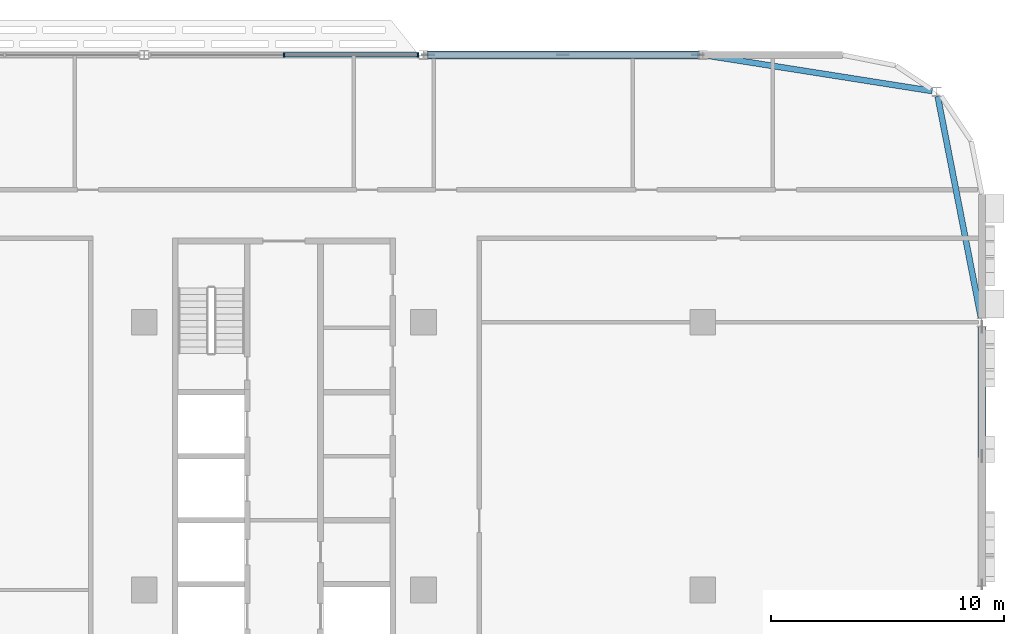
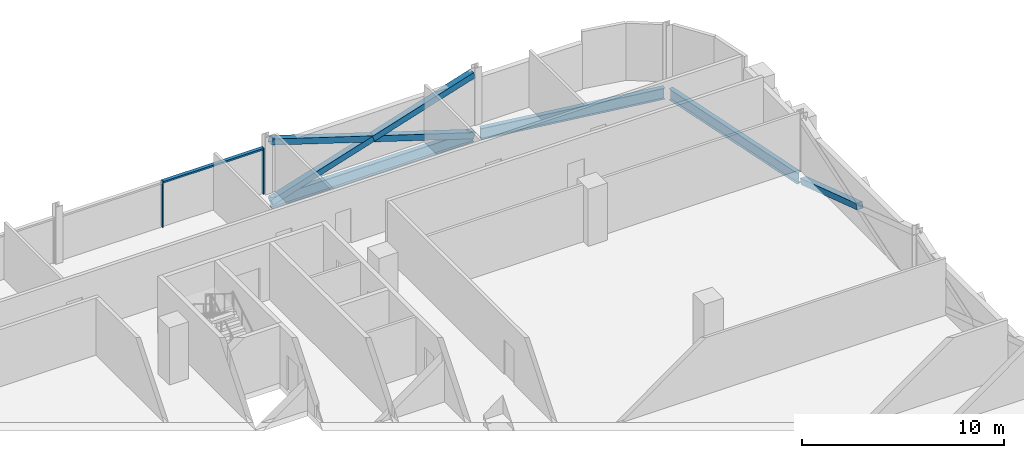
# One storey, part 11 of 30: 7 members, 3 beams, 1 element without a shape of its own.
"""IFC4 building model written with IfcOpenShell, lengths in metres."""

from ifc_helpers import new_model, si_unit, direction, frame, origin, origin_2d, place, context, subcontext, project, spatial, rectangle, hollow_rectangle, i_section, extrude, material, material_profile, profile_set, type_object, element, aggregate, save


model = new_model("IFC4")

# Units and contexts
model_context = context("Model", 3, precision=1e-05, world=origin(), true_north=direction((0.0, 1.0)))
body_context = subcontext(model_context, "Body", "Model", "MODEL_VIEW")
ifc_project = project(units=[si_unit("LENGTHUNIT", "METRE"), si_unit("AREAUNIT", "SQUARE_METRE"), si_unit("VOLUMEUNIT", "CUBIC_METRE"), si_unit("PLANEANGLEUNIT", "RADIAN"), si_unit("MASSUNIT", "GRAM", prefix="KILO")], contexts=[model_context])

# Site, building, storey
site_placement = place(None, origin())
site = spatial("IfcSite", under=ifc_project, at=site_placement, CompositionType="ELEMENT")
building_placement = place(site_placement, origin())
building = spatial("IfcBuilding", under=site, at=building_placement, Name="Mahtab Terrace Research Tower", CompositionType="ELEMENT")
storey_placement = place(building_placement, frame((0.0, 0.0, 205.300048828125)))
storey = spatial("IfcBuildingStorey", under=building, at=storey_placement, Name="L49", CompositionType="ELEMENT", Elevation=205.300048828125)

# Members
ifc_material_1 = material(Name="Steel ASTM A500 Gr C", Category="steel")
ifc_material_profile_1 = material_profile(ifc_material_1, hollow_rectangle(XDim=0.355712890625, YDim=0.355712890625, WallThickness=0.015869140625, at=origin_2d()), Name="HSS14X14X5/8")
ifc_profile_set_1 = profile_set([ifc_material_profile_1], Name="Steel ASTM A500 Gr C")
member_type_1 = type_object("IfcMemberType", Name="HSS 14x14x5/8 brace XB141458", PredefinedType="BRACE", material=ifc_profile_set_1)
member_1_placement = place(storey_placement, frame((41.79931640625, 23.0, -0.61572265625), z_axis=(-0.953337604941, 0.0, 0.301906295073), x_axis=(0.0, -1.0, 0.0)))
element("IfcMember", 1, at=member_1_placement, inside=storey, type_object=member_type_1, Name="Exoskeleton brace L49 02 a", PredefinedType="BRACE", context=body_context, shape_type="SweptSolid", body=[
    extrude(hollow_rectangle(XDim=0.355712890625, YDim=0.355712890625, WallThickness=0.015869140625, at=origin_2d()), origin(), (0.0, 0.0, 1.0), 12.166259765625),
])
for number, where, z_axis, x_axis, name in (
    (2, (30.20068359375, 23.0, -0.61572265625), (0.953331829178, 0.0, 0.301924532749), (0.0, 1.0, 0.0), "Exoskeleton brace L49 02 b1"),
    (3, (36.0, 23.0, 1.220947265625), (0.953343380425, 0.0, 0.301888057067), (0.0, 1.0, 0.0), "Exoskeleton brace L49 02 b2"),
):
    element("IfcMember", number, at=place(storey_placement, frame(where, z_axis=z_axis, x_axis=x_axis)), inside=storey, type_object=member_type_1, Name=name, PredefinedType="BRACE", context=body_context, shape_type="SweptSolid", body=[
        extrude(hollow_rectangle(XDim=0.355712890625, YDim=0.355712890625, WallThickness=0.015869140625, at=origin_2d()), origin(), (0.0, 0.0, 1.0), 6.083251953125),
    ])
member_2_placement = place(storey_placement, frame((54.0, 11.300537109375, -0.61328125), z_axis=(0.0, -0.949498689047, 0.313770998496), x_axis=(1.0, 0.0, 0.0)))
element("IfcMember", 4, at=member_2_placement, inside=storey, type_object=member_type_1, Name="Exoskeleton brace L49 23 b1", PredefinedType="BRACE", context=body_context, shape_type="SweptSolid", body=[
    extrude(hollow_rectangle(XDim=0.355712890625, YDim=0.355712890625, WallThickness=0.015869140625, at=origin_2d()), origin(), (0.0, 0.0, 1.0), 5.845703125),
])

# Curtain wall, members
ifc_material_2 = material(Name="Laboratory ribbon curtain wall")
curtain_wall_type = type_object("IfcCurtainWallType", Name="Laboratory ribbon curtain wall", PredefinedType="NOTDEFINED", material=ifc_material_2)
curtain_wall_placement = place(storey_placement, origin())
curtain_wall = element("IfcCurtainWall", 5, at=curtain_wall_placement, inside=storey, type_object=curtain_wall_type, Name="EN.L49.3.5", PredefinedType="NOTDEFINED")
ifc_material_3 = material(Name="Natural anodised aluminium", Category="aluminium")
ifc_material_profile_2 = material_profile(ifc_material_3, rectangle(XDim=0.199951171875, YDim=0.06494140625, at=origin_2d()), Name="MULLION 65x200")
ifc_profile_set_2 = profile_set([ifc_material_profile_2], Name="Natural anodised aluminium")
member_type_2 = type_object("IfcMemberType", Name="Laboratory ribbon curtain wall mullion", PredefinedType="MULLION", material=ifc_profile_set_2)
member_3_placement = place(storey_placement, frame((29.767578125, 23.0, 0.0), z_axis=(0.0, 0.0, 1.0), x_axis=(0.0, -1.0, 0.0)))
member_3 = element("IfcMember", 6, at=member_3_placement, type_object=member_type_2, Name="CWL-6 mullion 1", PredefinedType="MULLION", context=body_context, shape_type="SweptSolid", body=[
    extrude(rectangle(XDim=0.199951171875, YDim=0.06494140625, at=origin_2d()), origin(), (0.0, 0.0, 1.0), 2.78173828125),
])
member_4_placement = place(storey_placement, frame((24.0, 23.0, 0.0), z_axis=(0.0, 0.0, 1.0), x_axis=(0.0, -1.0, 0.0)))
member_4 = element("IfcMember", 7, at=member_4_placement, type_object=member_type_2, Name="CWL-6 mullion 2", PredefinedType="MULLION", context=body_context, shape_type="SweptSolid", body=[
    extrude(rectangle(XDim=0.199951171875, YDim=0.06494140625, at=origin_2d()), origin(), (0.0, 0.0, 1.0), 2.78173828125),
])
ifc_material_profile_3 = material_profile(ifc_material_3, rectangle(XDim=0.199951171875, YDim=0.10009765625, at=origin_2d()), Name="TRANSOM 100x200")
ifc_profile_set_3 = profile_set([ifc_material_profile_3], Name="Natural anodised aluminium")
member_type_3 = type_object("IfcMemberType", Name="Laboratory ribbon curtain wall transom", PredefinedType="USERDEFINED", material=ifc_profile_set_3)
member_5_placement = place(storey_placement, frame((29.735107421875, 23.0, 2.731689453125), z_axis=(-1.0, 0.0, 0.0), x_axis=(0.0, -1.0, 0.0)))
member_5 = element("IfcMember", 8, at=member_5_placement, type_object=member_type_3, Name="CWL-6 transom 1", ObjectType="TRANSOM", PredefinedType="USERDEFINED", context=body_context, shape_type="SweptSolid", body=[
    extrude(rectangle(XDim=0.199951171875, YDim=0.10009765625, at=origin_2d()), origin(), (0.0, 0.0, 1.0), 5.70263671875),
])
aggregate(curtain_wall, [member_3, member_4, member_5])

# Beams
ifc_material_4 = material(Name="Steel ASTM A992 Gr 50", Category="steel")
ifc_material_profile_4 = material_profile(ifc_material_4, i_section(OverallWidth=0.25390625, OverallDepth=0.67822265625, WebThickness=0.01171875, FlangeThickness=0.016357421875, at=origin_2d()), Name="W27X84")
ifc_profile_set_4 = profile_set([ifc_material_profile_4], Name="Steel ASTM A992 Gr 50")
beam_type = type_object("IfcBeamType", Name="W27x84 beam BS2784", PredefinedType="BEAM", material=ifc_profile_set_4)
beam_1_placement = place(storey_placement, frame((51.861328125, 21.447509765625, -0.67919921875), z_axis=(-0.987831689273, 0.155526697604, 0.0), x_axis=(-0.155526697604, -0.987831689273, 0.0)))
element("IfcBeam", 9, at=beam_1_placement, inside=storey, type_object=beam_type, Name="Spandrel beam L49 01", PredefinedType="BEAM", context=body_context, shape_type="SweptSolid", body=[
    extrude(i_section(OverallWidth=0.25390625, OverallDepth=0.67822265625, WebThickness=0.01171875, FlangeThickness=0.016357421875, at=origin_2d()), origin(), (0.0, 0.0, 1.0), 9.779541015625),
])
beam_2_placement = place(storey_placement, frame((41.79931640625, 23.0, -0.67919921875), z_axis=(-1.0, 0.0, 0.0), x_axis=(0.0, -1.0, 0.0)))
element("IfcBeam", 10, at=beam_2_placement, inside=storey, type_object=beam_type, Name="Spandrel beam L49 02", PredefinedType="BEAM", context=body_context, shape_type="SweptSolid", body=[
    extrude(i_section(OverallWidth=0.25390625, OverallDepth=0.67822265625, WebThickness=0.01171875, FlangeThickness=0.016357421875, at=origin_2d()), origin(), (0.0, 0.0, 1.0), 11.5986328125),
])
beam_3_placement = place(storey_placement, frame((53.9609375, 11.699462890625, -0.67919921875), z_axis=(-0.191795474732, 0.981434916779, 0.0), x_axis=(-0.981434916779, -0.191795474732, 0.0)))
element("IfcBeam", 11, at=beam_3_placement, inside=storey, type_object=beam_type, Name="Spandrel beam L49 24", PredefinedType="BEAM", context=body_context, shape_type="SweptSolid", body=[
    extrude(i_section(OverallWidth=0.25390625, OverallDepth=0.67822265625, WebThickness=0.01171875, FlangeThickness=0.016357421875, at=origin_2d()), origin(), (0.0, 0.0, 1.0), 9.697021484375),
])

save(model, "model.ifc")
